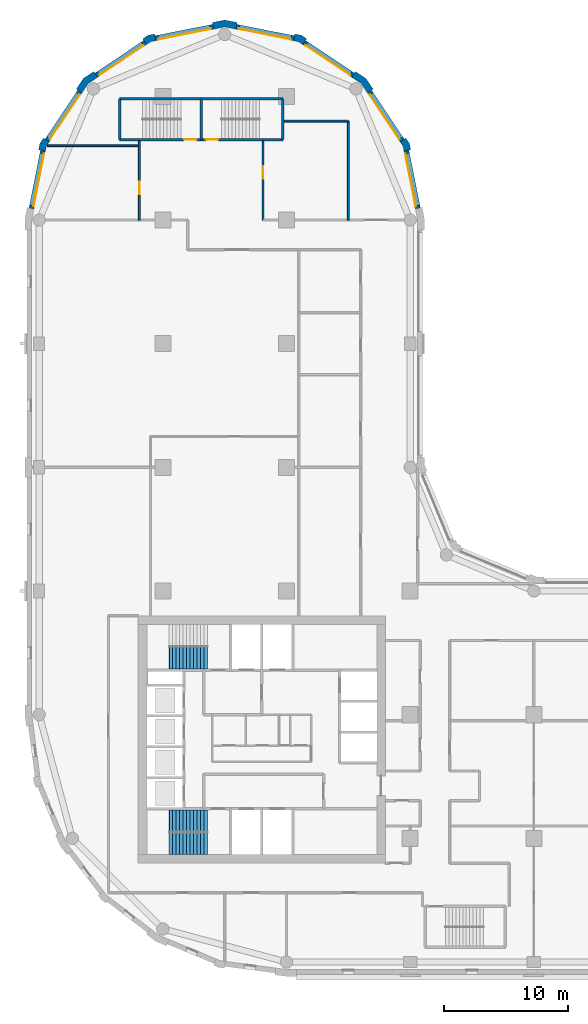
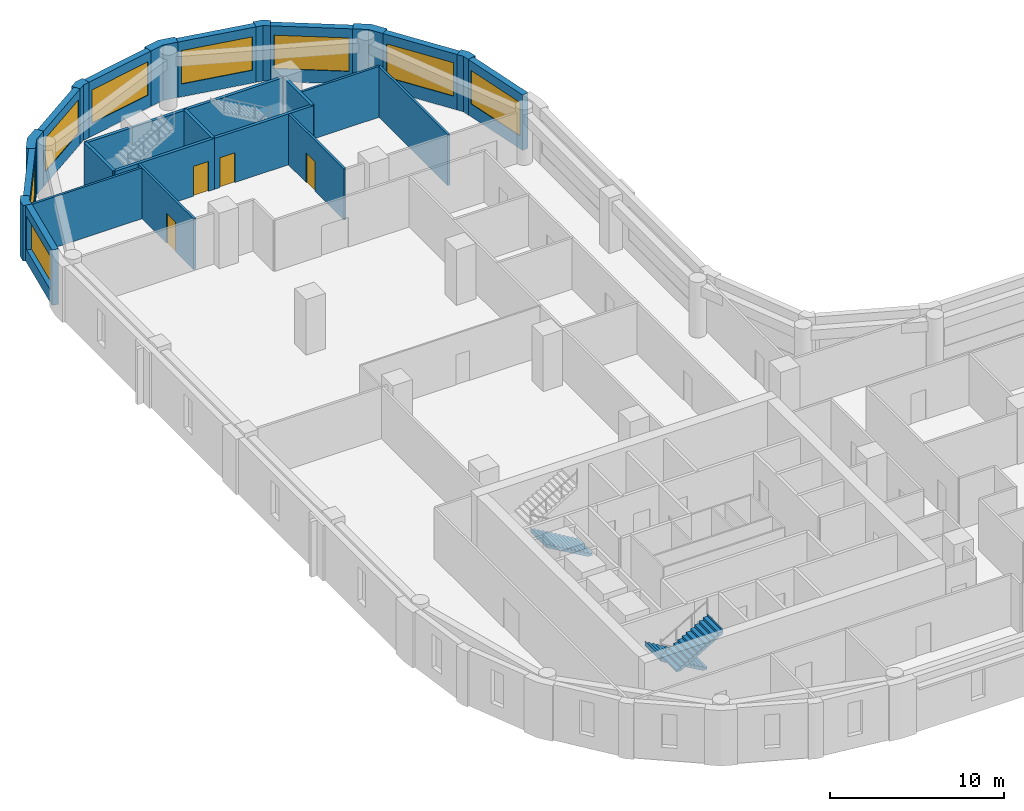
# One storey, part 6 of 9: 27 walls, 8 windows, 4 doors, 3 stair flights, 12 openings, 2 elements without a shape of their own.
"""IFC4 building model written with IfcOpenShell, lengths in metres."""

from ifc_helpers import new_model, si_unit, direction, frame, frame_2d, origin, place, context, subcontext, project, spatial, polyline, rectangle, outline, extrude, material, layer, layer_set, type_object, element, fill, aggregate, save


model = new_model("IFC4")

# Units and contexts
model_context = context("Model", 3, precision=1e-05, world=origin(), true_north=direction((0.0, 1.0)))
body_context = subcontext(model_context, "Body", "Model", "MODEL_VIEW")
ifc_project = project(units=[si_unit("LENGTHUNIT", "METRE"), si_unit("AREAUNIT", "SQUARE_METRE"), si_unit("VOLUMEUNIT", "CUBIC_METRE"), si_unit("PLANEANGLEUNIT", "RADIAN"), si_unit("MASSUNIT", "GRAM", prefix="KILO")], contexts=[model_context])

# Site, building, storey
site_placement = place(None, origin())
site = spatial("IfcSite", under=ifc_project, at=site_placement, CompositionType="ELEMENT")
building_placement = place(site_placement, origin())
building = spatial("IfcBuilding", under=site, at=building_placement, Name="Qaws Garden Tower", CompositionType="ELEMENT")
storey_placement = place(building_placement, frame((0.0, 0.0, 162.89990234375)))
storey = spatial("IfcBuildingStorey", under=building, at=storey_placement, Name="L39", CompositionType="ELEMENT", Elevation=162.89990234375)

# Wall, opening, window
ifc_material_1 = material(Name="Clay facing brick masonry", Category="masonry")
ifc_layer_1 = layer(ifc_material_1, 0.39990234375)
ifc_layer_set_1 = layer_set([ifc_layer_1], Name="Clay facing brick masonry")
wall_type_1 = type_object("IfcWallType", Name="Brick infill wall 400", PredefinedType="SOLIDWALL", material=ifc_layer_set_1)
wall_1_placement = place(storey_placement, frame((30.628662109375, 60.940673828125, 0.0), z_axis=(0.0, 0.0, 1.0), x_axis=(-0.195098533057, 0.98078364709, 0.0)))
wall_1 = element("IfcWall", 1, at=wall_1_placement, inside=storey, type_object=wall_type_1, Name="E-L39-infill-13", PredefinedType="SOLIDWALL", context=body_context, shape_type="SweptSolid", body=[
    extrude(rectangle(XDim=4.752685546875, YDim=0.39990234375, at=frame_2d((2.37646484375, 0.0))), origin(), (0.0, 0.0, 1.0), 3.900146484375),
])
opening_1_placement = place(wall_1_placement, frame((0.226318359375, 0.0, 0.89990234375)))
opening_1 = element("IfcOpeningElement", 2, at=opening_1_placement, cuts=wall_1, Name="Opening W06", PredefinedType="OPENING", context=body_context, shape_type="SweptSolid", body=[
    extrude(rectangle(XDim=4.300048828125, YDim=2.35009765625, at=frame_2d((2.14990234375, 1.175048828125))), frame((0.0, 0.2099609375, 0.0), z_axis=(0.0, -1.0, 0.0), x_axis=(1.0, 0.0, 0.0)), (0.0, 0.0, 1.0), 0.419921875),
])
ifc_material_2 = material(Name="Aluminium framed window, clear glazing", Category="aluminium")
window_type = type_object("IfcWindowType", Name="Ribbon window 4300 x 2350", PartitioningType="DOUBLE_PANEL_VERTICAL", PredefinedType="WINDOW", material=ifc_material_2)
window_1_placement = place(opening_1_placement, origin())
window_1 = element("IfcWindow", 3, at=window_1_placement, inside=storey, type_object=window_type, Name="E-L39-window-13-0", OverallHeight=2.35009765625, OverallWidth=4.300048828125, PartitioningType="SINGLE_PANEL", PredefinedType="WINDOW", context=body_context, shape_type="SweptSolid", body=[
    extrude(rectangle(XDim=4.300048828125, YDim=2.35009765625, at=frame_2d((2.14990234375, 1.175048828125))), frame((0.0, 0.159912109375, 0.0), z_axis=(0.0, -1.0, 0.0), x_axis=(1.0, 0.0, 0.0)), (0.0, 0.0, 1.0), 0.06005859375),
])
fill(opening_1, window_1)

wall_2_placement = place(storey_placement, frame((29.356689453125, 66.43408203125, 0.0), z_axis=(0.0, 0.0, 1.0), x_axis=(-0.555541552266, 0.831488775454, 0.0)))
wall_2 = element("IfcWall", 4, at=wall_2_placement, inside=storey, type_object=wall_type_1, Name="E-L39-infill-14", PredefinedType="SOLIDWALL", context=body_context, shape_type="SweptSolid", body=[
    extrude(rectangle(XDim=4.752685546875, YDim=0.39990234375, at=frame_2d((2.37646484375, 0.0))), origin(), (0.0, 0.0, 1.0), 3.900146484375),
])
opening_2_placement = place(wall_2_placement, frame((0.226318359375, 0.0, 0.89990234375)))
opening_2 = element("IfcOpeningElement", 5, at=opening_2_placement, cuts=wall_2, Name="Opening W06", PredefinedType="OPENING", context=body_context, shape_type="SweptSolid", body=[
    extrude(rectangle(XDim=4.300048828125, YDim=2.35009765625, at=frame_2d((2.14990234375, 1.175048828125))), frame((0.0, 0.2099609375, 0.0), z_axis=(0.0, -1.0, 0.0), x_axis=(1.0, 0.0, 0.0)), (0.0, 0.0, 1.0), 0.419921875),
])
window_2_placement = place(opening_2_placement, origin())
window_2 = element("IfcWindow", 6, at=window_2_placement, inside=storey, type_object=window_type, Name="E-L39-window-14-0", OverallHeight=2.35009765625, OverallWidth=4.300048828125, PartitioningType="SINGLE_PANEL", PredefinedType="WINDOW", context=body_context, shape_type="SweptSolid", body=[
    extrude(rectangle(XDim=4.300048828125, YDim=2.35009765625, at=frame_2d((2.14990234375, 1.175048828125))), frame((0.0, 0.159912109375, 0.0), z_axis=(0.0, -1.0, 0.0), x_axis=(1.0, 0.0, 0.0)), (0.0, 0.0, 1.0), 0.06005859375),
])
fill(opening_2, window_2)

wall_3_placement = place(storey_placement, frame((25.385986328125, 71.71630859375, 0.0), z_axis=(0.0, 0.0, 1.0), x_axis=(-0.831488775454, 0.555541552266, 0.0)))
wall_3 = element("IfcWall", 7, at=wall_3_placement, inside=storey, type_object=wall_type_1, Name="E-L39-infill-15", PredefinedType="SOLIDWALL", context=body_context, shape_type="SweptSolid", body=[
    extrude(rectangle(XDim=4.752685546875, YDim=0.39990234375, at=frame_2d((2.37646484375, 0.0))), origin(), (0.0, 0.0, 1.0), 3.900146484375),
])
opening_3_placement = place(wall_3_placement, frame((0.226318359375, 0.0, 0.89990234375)))
opening_3 = element("IfcOpeningElement", 8, at=opening_3_placement, cuts=wall_3, Name="Opening W06", PredefinedType="OPENING", context=body_context, shape_type="SweptSolid", body=[
    extrude(rectangle(XDim=4.300048828125, YDim=2.35009765625, at=frame_2d((2.14990234375, 1.175048828125))), frame((0.0, 0.2099609375, 0.0), z_axis=(0.0, -1.0, 0.0), x_axis=(1.0, 0.0, 0.0)), (0.0, 0.0, 1.0), 0.419921875),
])
window_3_placement = place(opening_3_placement, origin())
window_3 = element("IfcWindow", 9, at=window_3_placement, inside=storey, type_object=window_type, Name="E-L39-window-15-0", OverallHeight=2.35009765625, OverallWidth=4.300048828125, PartitioningType="SINGLE_PANEL", PredefinedType="WINDOW", context=body_context, shape_type="SweptSolid", body=[
    extrude(rectangle(XDim=4.300048828125, YDim=2.35009765625, at=frame_2d((2.14990234375, 1.175048828125))), frame((0.0, 0.159912109375, 0.0), z_axis=(0.0, -1.0, 0.0), x_axis=(1.0, 0.0, 0.0)), (0.0, 0.0, 1.0), 0.06005859375),
])
fill(opening_3, window_3)

wall_4_placement = place(storey_placement, frame((20.60205078125, 74.701416015625, 0.0), z_axis=(0.0, 0.0, 1.0), x_axis=(-0.98078364709, 0.195098533057, 0.0)))
wall_4 = element("IfcWall", 10, at=wall_4_placement, inside=storey, type_object=wall_type_1, Name="E-L39-infill-16", PredefinedType="SOLIDWALL", context=body_context, shape_type="SweptSolid", body=[
    extrude(rectangle(XDim=4.752685546875, YDim=0.39990234375, at=frame_2d((2.37646484375, 0.0))), origin(), (0.0, 0.0, 1.0), 3.900146484375),
])
opening_4_placement = place(wall_4_placement, frame((0.226318359375, 0.0, 0.89990234375)))
opening_4 = element("IfcOpeningElement", 11, at=opening_4_placement, cuts=wall_4, Name="Opening W06", PredefinedType="OPENING", context=body_context, shape_type="SweptSolid", body=[
    extrude(rectangle(XDim=4.300048828125, YDim=2.35009765625, at=frame_2d((2.14990234375, 1.175048828125))), frame((0.0, 0.2099609375, 0.0), z_axis=(0.0, -1.0, 0.0), x_axis=(1.0, 0.0, 0.0)), (0.0, 0.0, 1.0), 0.419921875),
])
window_4_placement = place(opening_4_placement, origin())
window_4 = element("IfcWindow", 12, at=window_4_placement, inside=storey, type_object=window_type, Name="E-L39-window-16-0", OverallHeight=2.35009765625, OverallWidth=4.300048828125, PartitioningType="SINGLE_PANEL", PredefinedType="WINDOW", context=body_context, shape_type="SweptSolid", body=[
    extrude(rectangle(XDim=4.300048828125, YDim=2.35009765625, at=frame_2d((2.14990234375, 1.175048828125))), frame((0.0, 0.159912109375, 0.0), z_axis=(0.0, -1.0, 0.0), x_axis=(1.0, 0.0, 0.0)), (0.0, 0.0, 1.0), 0.06005859375),
])
fill(opening_4, window_4)

wall_5_placement = place(storey_placement, frame((14.059326171875, 75.628662109375, 0.0), z_axis=(0.0, 0.0, 1.0), x_axis=(-0.98078364709, -0.195098533057, 0.0)))
wall_5 = element("IfcWall", 13, at=wall_5_placement, inside=storey, type_object=wall_type_1, Name="E-L39-infill-17", PredefinedType="SOLIDWALL", context=body_context, shape_type="SweptSolid", body=[
    extrude(rectangle(XDim=4.752685546875, YDim=0.39990234375, at=frame_2d((2.37646484375, 0.0))), origin(), (0.0, 0.0, 1.0), 3.900146484375),
])
opening_5_placement = place(wall_5_placement, frame((0.226318359375, 0.0, 0.89990234375)))
opening_5 = element("IfcOpeningElement", 14, at=opening_5_placement, cuts=wall_5, Name="Opening W06", PredefinedType="OPENING", context=body_context, shape_type="SweptSolid", body=[
    extrude(rectangle(XDim=4.300048828125, YDim=2.35009765625, at=frame_2d((2.14990234375, 1.175048828125))), frame((0.0, 0.2099609375, 0.0), z_axis=(0.0, -1.0, 0.0), x_axis=(1.0, 0.0, 0.0)), (0.0, 0.0, 1.0), 0.419921875),
])
window_5_placement = place(opening_5_placement, origin())
window_5 = element("IfcWindow", 15, at=window_5_placement, inside=storey, type_object=window_type, Name="E-L39-window-17-0", OverallHeight=2.35009765625, OverallWidth=4.300048828125, PartitioningType="SINGLE_PANEL", PredefinedType="WINDOW", context=body_context, shape_type="SweptSolid", body=[
    extrude(rectangle(XDim=4.300048828125, YDim=2.35009765625, at=frame_2d((2.14990234375, 1.175048828125))), frame((0.0, 0.159912109375, 0.0), z_axis=(0.0, -1.0, 0.0), x_axis=(1.0, 0.0, 0.0)), (0.0, 0.0, 1.0), 0.06005859375),
])
fill(opening_5, window_5)

wall_6_placement = place(storey_placement, frame((8.56591796875, 74.356689453125, 0.0), z_axis=(0.0, 0.0, 1.0), x_axis=(-0.831488775454, -0.555541552266, 0.0)))
wall_6 = element("IfcWall", 16, at=wall_6_placement, inside=storey, type_object=wall_type_1, Name="E-L39-infill-18", PredefinedType="SOLIDWALL", context=body_context, shape_type="SweptSolid", body=[
    extrude(rectangle(XDim=4.752685546875, YDim=0.39990234375, at=frame_2d((2.37646484375, 0.0))), origin(), (0.0, 0.0, 1.0), 3.900146484375),
])
opening_6_placement = place(wall_6_placement, frame((0.226318359375, 0.0, 0.89990234375)))
opening_6 = element("IfcOpeningElement", 17, at=opening_6_placement, cuts=wall_6, Name="Opening W06", PredefinedType="OPENING", context=body_context, shape_type="SweptSolid", body=[
    extrude(rectangle(XDim=4.300048828125, YDim=2.35009765625, at=frame_2d((2.14990234375, 1.175048828125))), frame((0.0, 0.2099609375, 0.0), z_axis=(0.0, -1.0, 0.0), x_axis=(1.0, 0.0, 0.0)), (0.0, 0.0, 1.0), 0.419921875),
])
window_6_placement = place(opening_6_placement, origin())
window_6 = element("IfcWindow", 18, at=window_6_placement, inside=storey, type_object=window_type, Name="E-L39-window-18-0", OverallHeight=2.35009765625, OverallWidth=4.300048828125, PartitioningType="SINGLE_PANEL", PredefinedType="WINDOW", context=body_context, shape_type="SweptSolid", body=[
    extrude(rectangle(XDim=4.300048828125, YDim=2.35009765625, at=frame_2d((2.14990234375, 1.175048828125))), frame((0.0, 0.159912109375, 0.0), z_axis=(0.0, -1.0, 0.0), x_axis=(1.0, 0.0, 0.0)), (0.0, 0.0, 1.0), 0.06005859375),
])
fill(opening_6, window_6)

wall_7_placement = place(storey_placement, frame((3.28369140625, 70.385986328125, 0.0), z_axis=(0.0, 0.0, 1.0), x_axis=(-0.555541552266, -0.831488775454, 0.0)))
wall_7 = element("IfcWall", 19, at=wall_7_placement, inside=storey, type_object=wall_type_1, Name="E-L39-infill-19", PredefinedType="SOLIDWALL", context=body_context, shape_type="SweptSolid", body=[
    extrude(rectangle(XDim=4.752685546875, YDim=0.39990234375, at=frame_2d((2.37646484375, 0.0))), origin(), (0.0, 0.0, 1.0), 3.900146484375),
])
opening_7_placement = place(wall_7_placement, frame((0.226318359375, 0.0, 0.89990234375)))
opening_7 = element("IfcOpeningElement", 20, at=opening_7_placement, cuts=wall_7, Name="Opening W06", PredefinedType="OPENING", context=body_context, shape_type="SweptSolid", body=[
    extrude(rectangle(XDim=4.300048828125, YDim=2.35009765625, at=frame_2d((2.14990234375, 1.175048828125))), frame((0.0, 0.2099609375, 0.0), z_axis=(0.0, -1.0, 0.0), x_axis=(1.0, 0.0, 0.0)), (0.0, 0.0, 1.0), 0.419921875),
])
window_7_placement = place(opening_7_placement, origin())
window_7 = element("IfcWindow", 21, at=window_7_placement, inside=storey, type_object=window_type, Name="E-L39-window-19-0", OverallHeight=2.35009765625, OverallWidth=4.300048828125, PartitioningType="SINGLE_PANEL", PredefinedType="WINDOW", context=body_context, shape_type="SweptSolid", body=[
    extrude(rectangle(XDim=4.300048828125, YDim=2.35009765625, at=frame_2d((2.14990234375, 1.175048828125))), frame((0.0, 0.159912109375, 0.0), z_axis=(0.0, -1.0, 0.0), x_axis=(1.0, 0.0, 0.0)), (0.0, 0.0, 1.0), 0.06005859375),
])
fill(opening_7, window_7)

wall_8_placement = place(storey_placement, frame((0.298583984375, 65.60205078125, 0.0), z_axis=(0.0, 0.0, 1.0), x_axis=(-0.195098533057, -0.98078364709, 0.0)))
wall_8 = element("IfcWall", 22, at=wall_8_placement, inside=storey, type_object=wall_type_1, Name="E-L39-infill-20", PredefinedType="SOLIDWALL", context=body_context, shape_type="SweptSolid", body=[
    extrude(rectangle(XDim=4.752685546875, YDim=0.39990234375, at=frame_2d((2.37646484375, 0.0))), origin(), (0.0, 0.0, 1.0), 3.900146484375),
])
opening_8_placement = place(wall_8_placement, frame((0.226318359375, 0.0, 0.89990234375)))
opening_8 = element("IfcOpeningElement", 23, at=opening_8_placement, cuts=wall_8, Name="Opening W06", PredefinedType="OPENING", context=body_context, shape_type="SweptSolid", body=[
    extrude(rectangle(XDim=4.300048828125, YDim=2.35009765625, at=frame_2d((2.14990234375, 1.175048828125))), frame((0.0, 0.2099609375, 0.0), z_axis=(0.0, -1.0, 0.0), x_axis=(1.0, 0.0, 0.0)), (0.0, 0.0, 1.0), 0.419921875),
])
window_8_placement = place(opening_8_placement, origin())
window_8 = element("IfcWindow", 24, at=window_8_placement, inside=storey, type_object=window_type, Name="E-L39-window-20-0", OverallHeight=2.35009765625, OverallWidth=4.300048828125, PartitioningType="SINGLE_PANEL", PredefinedType="WINDOW", context=body_context, shape_type="SweptSolid", body=[
    extrude(rectangle(XDim=4.300048828125, YDim=2.35009765625, at=frame_2d((2.14990234375, 1.175048828125))), frame((0.0, 0.159912109375, 0.0), z_axis=(0.0, -1.0, 0.0), x_axis=(1.0, 0.0, 0.0)), (0.0, 0.0, 1.0), 0.06005859375),
])
fill(opening_8, window_8)

# Walls
ifc_material_3 = material(Name="Clay facing brick masonry", Category="masonry")
ifc_layer_2 = layer(ifc_material_3, 0.550048828125)
ifc_layer_set_2 = layer_set([ifc_layer_2], Name="Clay facing brick masonry")
wall_type_2 = type_object("IfcWallType", Name="Brick kink pier 550 x 600", PredefinedType="SOLIDWALL", material=ifc_layer_set_2)
placement = place(storey_placement, origin())
element("IfcWall", 25, at=placement, inside=storey, type_object=wall_type_2, Name="E-L39-pier-14", PredefinedType="SOLIDWALL", context=body_context, shape_type="SweptSolid", body=[
    extrude(outline(polyline([(29.8974609375, 65.64111328125), (30.044677734375, 65.67041015625), (29.94140625, 66.18896484375), (29.647705078125, 66.628662109375), (29.52294921875, 66.545166015625), (29.1904296875, 66.322998046875), (29.42333984375, 65.974365234375), (29.505126953125, 65.56298828125), (29.8974609375, 65.64111328125)])), origin(), (0.0, 0.0, 1.0), 3.900146484375),
])
element("IfcWall", 26, at=placement, inside=storey, type_object=wall_type_2, Name="E-L39-pier-16", PredefinedType="SOLIDWALL", context=body_context, shape_type="SweptSolid", body=[
    extrude(outline(polyline([(21.545166015625, 74.52294921875), (21.628662109375, 74.647705078125), (21.18896484375, 74.94140625), (20.67041015625, 75.044677734375), (20.64111328125, 74.8974609375), (20.56298828125, 74.505126953125), (20.974365234375, 74.42333984375), (21.322998046875, 74.1904296875), (21.545166015625, 74.52294921875)])), origin(), (0.0, 0.0, 1.0), 3.900146484375),
])
element("IfcWall", 27, at=placement, inside=storey, type_object=wall_type_2, Name="E-L39-pier-18", PredefinedType="SOLIDWALL", context=body_context, shape_type="SweptSolid", body=[
    extrude(outline(polyline([(9.35888671875, 74.8974609375), (9.32958984375, 75.044677734375), (8.81103515625, 74.94140625), (8.371337890625, 74.647705078125), (8.454833984375, 74.52294921875), (8.677001953125, 74.1904296875), (9.025634765625, 74.42333984375), (9.43701171875, 74.505126953125), (9.35888671875, 74.8974609375)])), origin(), (0.0, 0.0, 1.0), 3.900146484375),
])
element("IfcWall", 28, at=placement, inside=storey, type_object=wall_type_2, Name="E-L39-pier-20", PredefinedType="SOLIDWALL", context=body_context, shape_type="SweptSolid", body=[
    extrude(outline(polyline([(0.47705078125, 66.545166015625), (0.352294921875, 66.628662109375), (0.05859375, 66.18896484375), (-0.044677734375, 65.67041015625), (0.1025390625, 65.64111328125), (0.494873046875, 65.56298828125), (0.57666015625, 65.974365234375), (0.8095703125, 66.322998046875), (0.47705078125, 66.545166015625)])), origin(), (0.0, 0.0, 1.0), 3.900146484375),
])
ifc_material_4 = material(Name="Clay facing brick masonry", Category="masonry")
ifc_layer_3 = layer(ifc_material_4, 0.550048828125)
ifc_layer_set_3 = layer_set([ifc_layer_3], Name="Clay facing brick masonry")
wall_type_3 = type_object("IfcWallType", Name="Brick pier 550 x 1600", PredefinedType="SOLIDWALL", material=ifc_layer_set_3)
element("IfcWall", 29, at=placement, inside=storey, type_object=wall_type_3, Name="E-L39-pier-15", PredefinedType="SOLIDWALL", context=body_context, shape_type="SweptSolid", body=[
    extrude(outline(polyline([(26.882568359375, 70.4970703125), (27.00732421875, 70.580322265625), (26.435791015625, 71.435791015625), (25.580322265625, 72.00732421875), (25.4970703125, 71.882568359375), (25.274658203125, 71.550048828125), (26.0390625, 71.0390625), (26.550048828125, 70.274658203125), (26.882568359375, 70.4970703125)])), origin(), (0.0, 0.0, 1.0), 3.900146484375),
])
element("IfcWall", 30, at=placement, inside=storey, type_object=wall_type_3, Name="E-L39-pier-17", PredefinedType="SOLIDWALL", context=body_context, shape_type="SweptSolid", body=[
    extrude(outline(polyline([(15.979736328125, 75.82470703125), (16.009033203125, 75.971923828125), (15.0, 76.172607421875), (13.990966796875, 75.971923828125), (14.020263671875, 75.82470703125), (14.098388671875, 75.432373046875), (15.0, 75.61181640625), (15.901611328125, 75.432373046875), (15.979736328125, 75.82470703125)])), origin(), (0.0, 0.0, 1.0), 3.900146484375),
])
element("IfcWall", 31, at=placement, inside=storey, type_object=wall_type_3, Name="E-L39-pier-19", PredefinedType="SOLIDWALL", context=body_context, shape_type="SweptSolid", body=[
    extrude(outline(polyline([(4.5029296875, 71.882568359375), (4.419677734375, 72.00732421875), (3.564208984375, 71.435791015625), (2.99267578125, 70.580322265625), (3.117431640625, 70.4970703125), (3.449951171875, 70.274658203125), (3.9609375, 71.0390625), (4.725341796875, 71.550048828125), (4.5029296875, 71.882568359375)])), origin(), (0.0, 0.0, 1.0), 3.900146484375),
])

# Wall, opening, door
ifc_material_5 = material(Name="Concrete C70", Category="concrete")
ifc_layer_4 = layer(ifc_material_5, 0.199951171875)
ifc_layer_set_4 = layer_set([ifc_layer_4], Name="Concrete C70")
wall_type_4 = type_object("IfcWallType", Name="Core shaft wall 200 C70", PredefinedType="SHEAR", material=ifc_layer_set_4)
wall_16_placement = place(storey_placement, frame((6.5, 66.5, 0.0), z_axis=(0.0, 0.0, 1.0), x_axis=(1.0, 0.0, 0.0)))
wall_16 = element("IfcWall", 32, at=wall_16_placement, inside=storey, type_object=wall_type_4, Name="Shaft wall", PredefinedType="SHEAR", context=body_context, shape_type="SweptSolid", body=[
    extrude(rectangle(XDim=6.60009765625, YDim=0.199951171875, at=frame_2d((3.300048828125, 0.0))), origin(), (0.0, 0.0, 1.0), 3.580078125),
])
opening_9_placement = place(wall_16_placement, frame((5.22509765625, 0.0, 0.0)))
opening_9 = element("IfcOpeningElement", 33, at=opening_9_placement, cuts=wall_16, Name="Opening SD13", PredefinedType="OPENING", context=body_context, shape_type="SweptSolid", body=[
    extrude(rectangle(XDim=1.0, YDim=2.10009765625, at=frame_2d((0.5, 1.050048828125))), frame((0.0, 0.10986328125, 0.0), z_axis=(0.0, -1.0, 0.0), x_axis=(1.0, 0.0, 0.0)), (0.0, 0.0, 1.0), 0.219970703125),
])
ifc_material_6 = material(Name="Steel S235", Category="steel")
door_type_1 = type_object("IfcDoorType", Name="Stair door 1000x2100", OperationType="SINGLE_SWING_RIGHT", PredefinedType="DOOR", material=ifc_material_6)
door_1_placement = place(opening_9_placement, origin())
door_1 = element("IfcDoor", 34, at=door_1_placement, inside=storey, type_object=door_type_1, Name="Stair 6 door", OperationType="SINGLE_SWING_RIGHT", OverallHeight=2.10009765625, OverallWidth=1.0, PredefinedType="DOOR", context=body_context, shape_type="SweptSolid", body=[
    extrude(rectangle(XDim=1.0, YDim=2.10009765625, at=frame_2d((0.5, 1.050048828125))), frame((0.0, 0.02490234375, 0.0), z_axis=(0.0, -1.0, 0.0), x_axis=(1.0, 0.0, 0.0)), (0.0, 0.0, 1.0), 0.050048828125),
])
fill(opening_9, door_1)

wall_17_placement = place(storey_placement, frame((13.10009765625, 66.5, 0.0), z_axis=(0.0, 0.0, 1.0), x_axis=(1.0, 0.0, 0.0)))
wall_17 = element("IfcWall", 35, at=wall_17_placement, inside=storey, type_object=wall_type_4, Name="Shaft wall", PredefinedType="SHEAR", context=body_context, shape_type="SweptSolid", body=[
    extrude(rectangle(XDim=6.599853515625, YDim=0.199951171875, at=frame_2d((3.2998046875, 0.0))), origin(), (0.0, 0.0, 1.0), 3.580078125),
])
opening_10_placement = place(wall_17_placement, frame((0.375, 0.0, 0.0)))
opening_10 = element("IfcOpeningElement", 36, at=opening_10_placement, cuts=wall_17, Name="Opening SD14", PredefinedType="OPENING", context=body_context, shape_type="SweptSolid", body=[
    extrude(rectangle(XDim=1.0, YDim=2.10009765625, at=frame_2d((0.5, 1.050048828125))), frame((0.0, 0.10986328125, 0.0), z_axis=(0.0, -1.0, 0.0), x_axis=(1.0, 0.0, 0.0)), (0.0, 0.0, 1.0), 0.219970703125),
])
door_2_placement = place(opening_10_placement, origin())
door_2 = element("IfcDoor", 37, at=door_2_placement, inside=storey, type_object=door_type_1, Name="Stair 7 door", OperationType="SINGLE_SWING_LEFT", OverallHeight=2.10009765625, OverallWidth=1.0, PredefinedType="DOOR", context=body_context, shape_type="SweptSolid", body=[
    extrude(rectangle(XDim=1.0, YDim=2.10009765625, at=frame_2d((0.5, 1.050048828125))), frame((0.0, 0.02490234375, 0.0), z_axis=(0.0, -1.0, 0.0), x_axis=(1.0, 0.0, 0.0)), (0.0, 0.0, 1.0), 0.050048828125),
])
fill(opening_10, door_2)

# Walls
wall_18_placement = place(storey_placement, frame((6.5, 69.800048828125, 0.0), z_axis=(0.0, 0.0, 1.0), x_axis=(1.0, 0.0, 0.0)))
element("IfcWall", 38, at=wall_18_placement, inside=storey, type_object=wall_type_4, Name="Shaft wall", PredefinedType="SHEAR", context=body_context, shape_type="SweptSolid", body=[
    extrude(rectangle(XDim=6.60009765625, YDim=0.199951171875, at=frame_2d((3.300048828125, 0.0))), origin(), (0.0, 0.0, 1.0), 3.580078125),
])
wall_19_placement = place(storey_placement, frame((13.10009765625, 69.800048828125, 0.0), z_axis=(0.0, 0.0, 1.0), x_axis=(1.0, 0.0, 0.0)))
element("IfcWall", 39, at=wall_19_placement, inside=storey, type_object=wall_type_4, Name="Shaft wall", PredefinedType="SHEAR", context=body_context, shape_type="SweptSolid", body=[
    extrude(rectangle(XDim=6.599853515625, YDim=0.199951171875, at=frame_2d((3.2998046875, 0.0))), origin(), (0.0, 0.0, 1.0), 3.580078125),
])
for number, where, z_axis, x_axis, name in (
    (40, (6.5, 66.5, 0.0), (0.0, 0.0, 1.0), (0.0, 1.0, 0.0), "Shaft wall"),
    (41, (13.10009765625, 66.5, 0.0), (0.0, 0.0, 1.0), (0.0, 1.0, 0.0), "Shaft wall"),
    (42, (19.699951171875, 66.5, 0.0), (0.0, 0.0, 1.0), (0.0, 1.0, 0.0), "Shaft wall"),
):
    element("IfcWall", number, at=place(storey_placement, frame(where, z_axis=z_axis, x_axis=x_axis)), inside=storey, type_object=wall_type_4, Name=name, PredefinedType="SHEAR", context=body_context, shape_type="SweptSolid", body=[
        extrude(rectangle(XDim=3.300048828125, YDim=0.199951171875, at=frame_2d((1.64990234375, 0.0))), origin(), (0.0, 0.0, 1.0), 3.580078125),
    ])

# Wall, opening, door
ifc_material_7 = material(Name="Gypsum board partition")
ifc_layer_5 = layer(ifc_material_7, 0.14990234375)
ifc_layer_set_5 = layer_set([ifc_layer_5], Name="Gypsum board partition")
wall_type_5 = type_object("IfcWallType", Name="PARTITION 150 EI 60", PredefinedType="PARTITIONING", material=ifc_layer_set_5)
wall_20_placement = place(storey_placement, frame((8.10009765625, 60.0, 0.0), z_axis=(0.0, 0.0, 1.0), x_axis=(0.0, 1.0, 0.0)))
wall_20 = element("IfcWall", 43, at=wall_20_placement, inside=storey, type_object=wall_type_5, Name="O-L39-wall-007", PredefinedType="PARTITIONING", context=body_context, shape_type="SweptSolid", body=[
    extrude(rectangle(XDim=6.39990234375, YDim=0.14990234375, at=frame_2d((3.199951171875, 0.0))), origin(), (0.0, 0.0, 1.0), 3.580078125),
])
opening_11_placement = place(wall_20_placement, frame((2.10009765625, 0.0, 0.0)))
opening_11 = element("IfcOpeningElement", 44, at=opening_11_placement, cuts=wall_20, Name="Opening B312", PredefinedType="OPENING", context=body_context, shape_type="SweptSolid", body=[
    extrude(rectangle(XDim=1.0, YDim=2.10009765625, at=frame_2d((0.5, 1.050048828125))), frame((0.0, 0.0849609375, 0.0), z_axis=(0.0, -1.0, 0.0), x_axis=(1.0, 0.0, 0.0)), (0.0, 0.0, 1.0), 0.169921875),
])
ifc_material_8 = material(Name="Timber door leaf", Category="wood")
door_type_2 = type_object("IfcDoorType", Name="TENANCY ENTRANCE DOOR 1000 X 2100", OperationType="SINGLE_SWING_LEFT", PredefinedType="DOOR", material=ifc_material_8)
door_3_placement = place(opening_11_placement, origin())
door_3 = element("IfcDoor", 45, at=door_3_placement, inside=storey, type_object=door_type_2, Name="O-L39-door-012", OperationType="SINGLE_SWING_LEFT", OverallHeight=2.10009765625, OverallWidth=1.0, PredefinedType="DOOR", context=body_context, shape_type="SweptSolid", body=[
    extrude(rectangle(XDim=1.0, YDim=2.10009765625, at=frame_2d((0.5, 1.050048828125))), frame((0.0, 0.02490234375, 0.0), z_axis=(0.0, -1.0, 0.0), x_axis=(1.0, 0.0, 0.0)), (0.0, 0.0, 1.0), 0.050048828125),
])
fill(opening_11, door_3)

wall_21_placement = place(storey_placement, frame((18.10009765625, 60.0, 0.0), z_axis=(0.0, 0.0, 1.0), x_axis=(0.0, 1.0, 0.0)))
wall_21 = element("IfcWall", 46, at=wall_21_placement, inside=storey, type_object=wall_type_5, Name="O-L39-wall-011", PredefinedType="PARTITIONING", context=body_context, shape_type="SweptSolid", body=[
    extrude(rectangle(XDim=6.39990234375, YDim=0.14990234375, at=frame_2d((3.199951171875, 0.0))), origin(), (0.0, 0.0, 1.0), 3.580078125),
])
opening_12_placement = place(wall_21_placement, frame((3.35009765625, 0.0, 0.0)))
opening_12 = element("IfcOpeningElement", 47, at=opening_12_placement, cuts=wall_21, Name="Opening B313", PredefinedType="OPENING", context=body_context, shape_type="SweptSolid", body=[
    extrude(rectangle(XDim=1.0, YDim=2.10009765625, at=frame_2d((0.5, 1.050048828125))), frame((0.0, 0.0849609375, 0.0), z_axis=(0.0, -1.0, 0.0), x_axis=(1.0, 0.0, 0.0)), (0.0, 0.0, 1.0), 0.169921875),
])
door_4_placement = place(opening_12_placement, frame((1.0, 0.0, 0.0), z_axis=(0.0, 0.0, 1.0), x_axis=(-1.0, 0.0, 0.0)))
door_4 = element("IfcDoor", 48, at=door_4_placement, inside=storey, type_object=door_type_2, Name="O-L39-door-013", OperationType="SINGLE_SWING_RIGHT", OverallHeight=2.10009765625, OverallWidth=1.0, PredefinedType="DOOR", context=body_context, shape_type="SweptSolid", body=[
    extrude(rectangle(XDim=1.0, YDim=2.10009765625, at=frame_2d((0.5, 1.050048828125))), frame((0.0, 0.02490234375, 0.0), z_axis=(0.0, -1.0, 0.0), x_axis=(1.0, 0.0, 0.0)), (0.0, 0.0, 1.0), 0.050048828125),
])
fill(opening_12, door_4)

# Walls
wall_22_placement = place(storey_placement, frame((25.0, 60.0, 0.0), z_axis=(0.0, 0.0, 1.0), x_axis=(0.0, 1.0, 0.0)))
element("IfcWall", 49, at=wall_22_placement, inside=storey, type_object=wall_type_5, Name="O-L39-wall-014", PredefinedType="PARTITIONING", context=body_context, shape_type="SweptSolid", body=[
    extrude(rectangle(XDim=8.0, YDim=0.14990234375, at=frame_2d((4.0, 0.0))), origin(), (0.0, 0.0, 1.0), 3.580078125),
])
wall_23_placement = place(storey_placement, frame((0.643798828125, 66.0, 0.0), z_axis=(0.0, 0.0, 1.0), x_axis=(1.0, 0.0, 0.0)))
element("IfcWall", 50, at=wall_23_placement, inside=storey, type_object=wall_type_5, Name="O-L39-wall-055", PredefinedType="PARTITIONING", context=body_context, shape_type="SweptSolid", body=[
    extrude(rectangle(XDim=7.456298828125, YDim=0.14990234375, at=frame_2d((3.72802734375, 0.0))), origin(), (0.0, 0.0, 1.0), 3.580078125),
])
wall_24_placement = place(storey_placement, frame((19.800048828125, 68.0, 0.0), z_axis=(0.0, 0.0, 1.0), x_axis=(1.0, 0.0, 0.0)))
element("IfcWall", 51, at=wall_24_placement, inside=storey, type_object=wall_type_5, Name="O-L39-wall-056", PredefinedType="PARTITIONING", context=body_context, shape_type="SweptSolid", body=[
    extrude(rectangle(XDim=5.199951171875, YDim=0.14990234375, at=frame_2d((2.60009765625, 0.0))), origin(), (0.0, 0.0, 1.0), 3.580078125),
])

# Stair, stair flights
ifc_material_9 = material(Name="Concrete C40", Category="concrete")
stair_type = type_object("IfcStairType", Name="Exit stair 1500", PredefinedType="HALF_TURN_STAIR", material=ifc_material_9)
stair_1 = element("IfcStair", 52, at=placement, inside=storey, type_object=stair_type, Name="Stair 1", PredefinedType="HALF_TURN_STAIR")
ifc_material_10 = material(Name="Concrete C40", Category="concrete")
stair_flight_type = type_object("IfcStairFlightType", Name="Stair flight 1500", PredefinedType="STRAIGHT", material=ifc_material_10)
stair_flight_1_placement = place(storey_placement, frame((13.60009765625, 11.39990234375, 0.0), z_axis=(0.0, 0.0, 1.0), x_axis=(-1.0, 0.0, 0.0)))
stair_flight_1 = element("IfcStairFlight", 53, at=stair_flight_1_placement, type_object=stair_flight_type, Name="ST1 flight 1", NumberOfRisers=12, NumberOfTreads=11, PredefinedType="STRAIGHT", RiserHeight=0.1625, TreadLength=0.28, context=body_context, shape_type="SweptSolid", body=[
    extrude(outline(polyline([(-0.0029296875, 0.0), (-0.0029296875, 0.16259765625), (0.0, 0.16259765625), (0.280029296875, 0.16259765625), (0.280029296875, 0.324951171875), (0.56005859375, 0.324951171875), (0.56005859375, 0.487548828125), (0.840087890625, 0.487548828125), (0.840087890625, 0.64990234375), (1.1201171875, 0.64990234375), (1.1201171875, 0.8125), (1.39990234375, 0.8125), (1.39990234375, 0.97509765625), (1.679931640625, 0.97509765625), (1.679931640625, 1.137451171875), (1.9599609375, 1.137451171875), (1.9599609375, 1.300048828125), (2.239990234375, 1.300048828125), (2.239990234375, 1.46240234375), (2.52001953125, 1.46240234375), (2.52001953125, 1.625), (2.800048828125, 1.625), (2.800048828125, 1.78759765625), (3.080078125, 1.78759765625), (3.080078125, 1.949951171875), (3.0830078125, 1.949951171875), (3.0830078125, 1.6142578125), (3.080078125, 1.6142578125), (0.298583984375, 0.0), (-0.0029296875, 0.0)])), frame((0.0, 0.89990234375, 0.0), z_axis=(0.0, -1.0, 0.0), x_axis=(1.0, 0.0, 0.0)), (0.0, 0.0, 1.0), 1.800048828125),
])
stair_flight_2_placement = place(storey_placement, frame((10.52001953125, 9.60009765625, 1.9501953125), z_axis=(0.0, 0.0, 1.0), x_axis=(1.0, 0.0, 0.0)))
stair_flight_2 = element("IfcStairFlight", 54, at=stair_flight_2_placement, type_object=stair_flight_type, Name="ST1 flight 2", NumberOfRisers=12, NumberOfTreads=11, PredefinedType="STRAIGHT", RiserHeight=0.1625, TreadLength=0.28, context=body_context, shape_type="SweptSolid", body=[
    extrude(outline(polyline([(-0.0029296875, 0.0), (-0.0029296875, 0.16259765625), (0.0, 0.16259765625), (0.280029296875, 0.16259765625), (0.280029296875, 0.324951171875), (0.56005859375, 0.324951171875), (0.56005859375, 0.487548828125), (0.840087890625, 0.487548828125), (0.840087890625, 0.64990234375), (1.1201171875, 0.64990234375), (1.1201171875, 0.8125), (1.39990234375, 0.8125), (1.39990234375, 0.97509765625), (1.679931640625, 0.97509765625), (1.679931640625, 1.137451171875), (1.9599609375, 1.137451171875), (1.9599609375, 1.300048828125), (2.239990234375, 1.300048828125), (2.239990234375, 1.46240234375), (2.52001953125, 1.46240234375), (2.52001953125, 1.625), (2.800048828125, 1.625), (2.800048828125, 1.78759765625), (3.080078125, 1.78759765625), (3.080078125, 1.949951171875), (3.0830078125, 1.949951171875), (3.0830078125, 1.6142578125), (3.080078125, 1.6142578125), (0.298583984375, 0.0), (-0.0029296875, 0.0)])), frame((0.0, 0.89990234375, 0.0), z_axis=(0.0, -1.0, 0.0), x_axis=(1.0, 0.0, 0.0)), (0.0, 0.0, 1.0), 1.800048828125),
])
aggregate(stair_1, [stair_flight_1, stair_flight_2])

# Stair, stair flight
stair_2 = element("IfcStair", 55, at=placement, inside=storey, type_object=stair_type, Name="Stair 4", PredefinedType="HALF_TURN_STAIR")
stair_flight_3_placement = place(storey_placement, frame((13.60009765625, 24.60009765625, 0.0), z_axis=(0.0, 0.0, 1.0), x_axis=(-1.0, 0.0, 0.0)))
stair_flight_3 = element("IfcStairFlight", 56, at=stair_flight_3_placement, type_object=stair_flight_type, Name="ST4 flight 1", NumberOfRisers=12, NumberOfTreads=11, PredefinedType="STRAIGHT", RiserHeight=0.1625, TreadLength=0.28, context=body_context, shape_type="SweptSolid", body=[
    extrude(outline(polyline([(-0.0029296875, 0.0), (-0.0029296875, 0.16259765625), (0.0, 0.16259765625), (0.280029296875, 0.16259765625), (0.280029296875, 0.324951171875), (0.56005859375, 0.324951171875), (0.56005859375, 0.487548828125), (0.840087890625, 0.487548828125), (0.840087890625, 0.64990234375), (1.1201171875, 0.64990234375), (1.1201171875, 0.8125), (1.39990234375, 0.8125), (1.39990234375, 0.97509765625), (1.679931640625, 0.97509765625), (1.679931640625, 1.137451171875), (1.9599609375, 1.137451171875), (1.9599609375, 1.300048828125), (2.239990234375, 1.300048828125), (2.239990234375, 1.46240234375), (2.52001953125, 1.46240234375), (2.52001953125, 1.625), (2.800048828125, 1.625), (2.800048828125, 1.78759765625), (3.080078125, 1.78759765625), (3.080078125, 1.949951171875), (3.0830078125, 1.949951171875), (3.0830078125, 1.6142578125), (3.080078125, 1.6142578125), (0.298583984375, 0.0), (-0.0029296875, 0.0)])), frame((0.0, 0.89501953125, 0.0), z_axis=(0.0, -1.0, 0.0), x_axis=(1.0, 0.0, 0.0)), (0.0, 0.0, 1.0), 1.7900390625),
])
aggregate(stair_2, [stair_flight_3])

save(model, "model.ifc")
